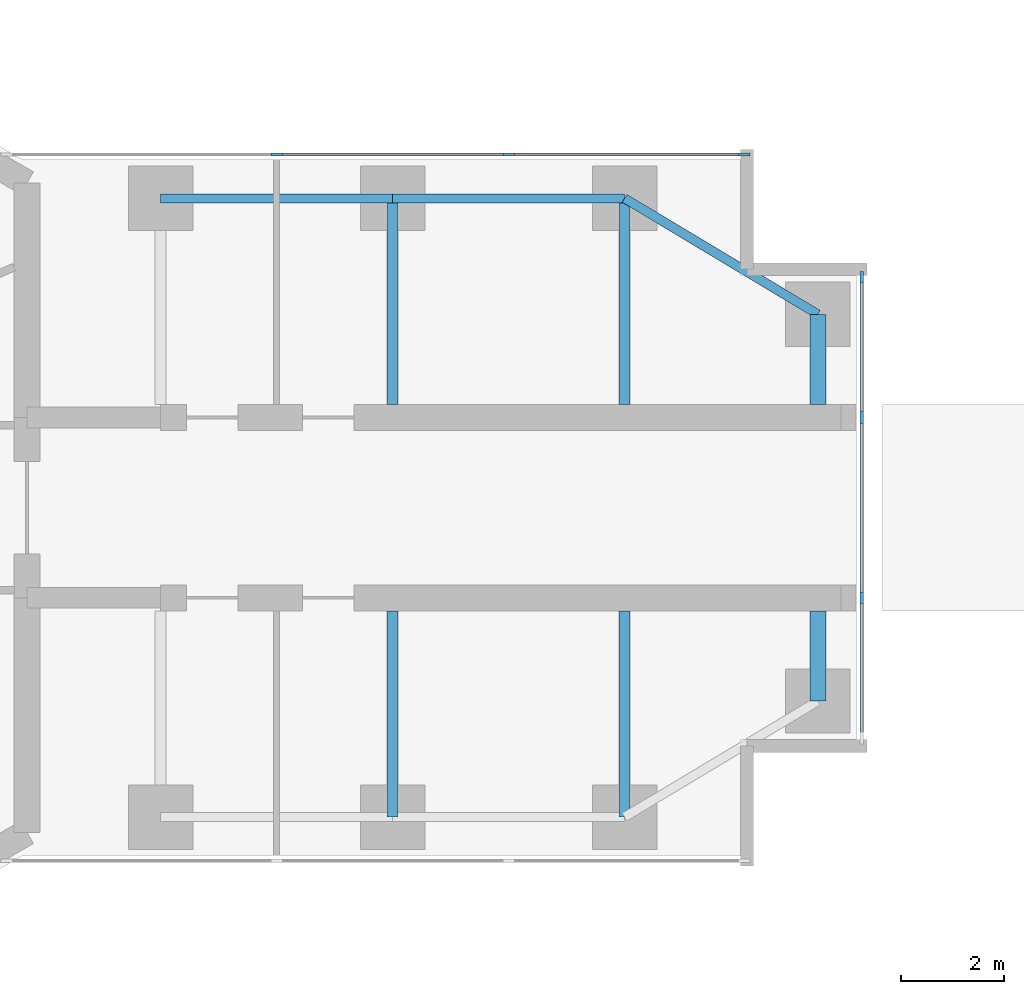
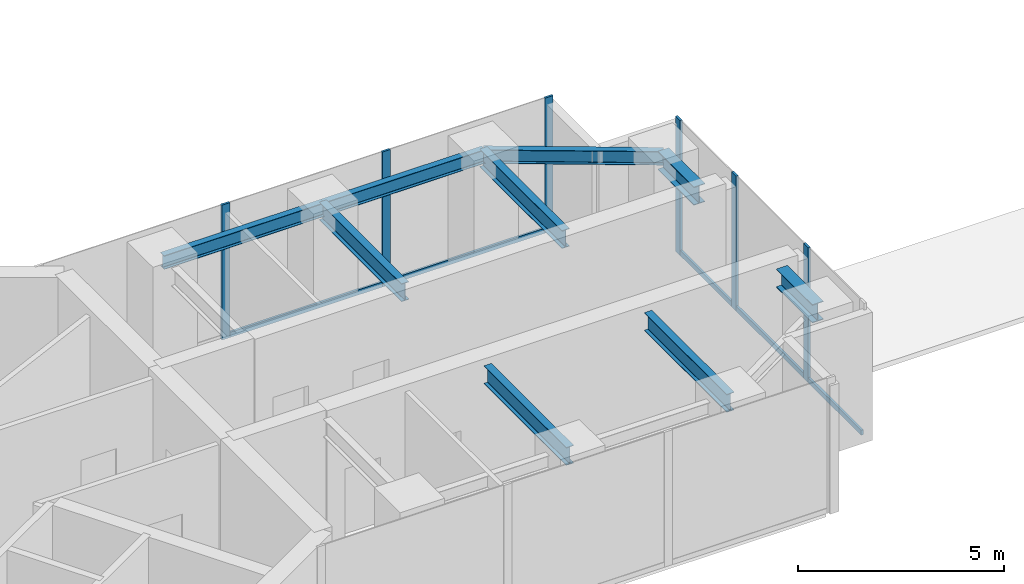
# One storey, part 7 of 18: 11 members, 9 beams, 2 elements without a shape of their own.
"""IFC4 building model written with IfcOpenShell, lengths in metres."""

from ifc_helpers import new_model, si_unit, direction, frame, origin, origin_2d, place, context, subcontext, project, spatial, rectangle, i_section, extrude, material, material_profile, profile_set, type_object, element, aggregate, save


model = new_model("IFC4")

# Units and contexts
model_context = context("Model", 3, precision=1e-05, world=origin(), true_north=direction((0.0, 1.0)))
body_context = subcontext(model_context, "Body", "Model", "MODEL_VIEW")
ifc_project = project(units=[si_unit("LENGTHUNIT", "METRE"), si_unit("AREAUNIT", "SQUARE_METRE"), si_unit("VOLUMEUNIT", "CUBIC_METRE"), si_unit("PLANEANGLEUNIT", "RADIAN"), si_unit("MASSUNIT", "GRAM", prefix="KILO")], contexts=[model_context])

# Site, building, storey
site_placement = place(None, origin())
site = spatial("IfcSite", under=ifc_project, at=site_placement, CompositionType="ELEMENT")
building_placement = place(site_placement, origin())
building = spatial("IfcBuilding", under=site, at=building_placement, Name="Upepo Twin Towers", CompositionType="ELEMENT")
storey_placement = place(building_placement, frame((0.0, 0.0, 170.5)))
storey = spatial("IfcBuildingStorey", under=building, at=storey_placement, Name="L41", CompositionType="ELEMENT", Elevation=170.5)

# Beams
ifc_material_1 = material(Name="Steel S355", Category="steel")
ifc_material_profile_1 = material_profile(ifc_material_1, i_section(OverallWidth=0.177978515625, OverallDepth=0.406494140625, WebThickness=0.0078125, FlangeThickness=0.0126953125, FilletRadius=0.01025390625, at=origin_2d()), Name="UB 406x178x60")
ifc_profile_set_1 = profile_set([ifc_material_profile_1], Name="Steel S355")
beam_type_1 = type_object("IfcBeamType", Name="Beam UB 406x178x60", PredefinedType="BEAM", material=ifc_profile_set_1)
for number, where, z_axis, x_axis, name in (
    (1, (13.5, 6.0, 3.5966796875), (1.0, 0.0, 0.0), (0.0, 1.0, 0.0), "T1 edge beam AL 13.5-18.0"),
    (2, (18.0, 6.0, 3.5966796875), (1.0, 0.0, 0.0), (0.0, 1.0, 0.0), "T1 edge beam AL 18.0-22.5"),
):
    element("IfcBeam", number, at=place(storey_placement, frame(where, z_axis=z_axis, x_axis=x_axis)), inside=storey, type_object=beam_type_1, Name=name, PredefinedType="BEAM", context=body_context, shape_type="SweptSolid", body=[
        extrude(i_section(OverallWidth=0.177978515625, OverallDepth=0.406494140625, WebThickness=0.0078125, FlangeThickness=0.0126953125, FilletRadius=0.01025390625, at=origin_2d()), origin(), (0.0, 0.0, 1.0), 4.5),
    ])
beam_placement = place(storey_placement, frame((22.5, 6.0, 3.5966796875), z_axis=(0.857492925713, -0.514495755428, 0.0), x_axis=(0.514495755428, 0.857492925713, 0.0)))
element("IfcBeam", 3, at=beam_placement, inside=storey, type_object=beam_type_1, Name="T1 nose edge beam AL", PredefinedType="BEAM", context=body_context, shape_type="SweptSolid", body=[
    extrude(i_section(OverallWidth=0.177978515625, OverallDepth=0.406494140625, WebThickness=0.0078125, FlangeThickness=0.0126953125, FilletRadius=0.01025390625, at=origin_2d()), origin(), (0.0, 0.0, 1.0), 4.373291015625),
])
ifc_material_2 = material(Name="Steel S355", Category="steel")
ifc_material_profile_2 = material_profile(ifc_material_2, i_section(OverallWidth=0.209228515625, OverallDepth=0.533203125, WebThickness=0.010009765625, FlangeThickness=0.015625, FilletRadius=0.0126953125, at=origin_2d()), Name="UB 533x210x92")
ifc_profile_set_2 = profile_set([ifc_material_profile_2], Name="Steel S355")
beam_type_2 = type_object("IfcBeamType", Name="Beam UB 533x210x92", PredefinedType="BEAM", material=ifc_profile_set_2)
for number, where, z_axis, x_axis, name in (
    (4, (18.0, 6.0, 3.533447265625), (0.0, -1.0, 0.0), (1.0, 0.0, 0.0), "T1 girder AL at 18.0"),
    (5, (22.5, 6.0, 3.533447265625), (0.0, -1.0, 0.0), (1.0, 0.0, 0.0), "T1 girder AL at 22.5"),
    (6, (18.0, -6.0, 3.533447265625), (0.0, 1.0, 0.0), (-1.0, 0.0, 0.0), "T1 girder AR at 18.0"),
    (7, (22.5, -6.0, 3.533447265625), (0.0, 1.0, 0.0), (-1.0, 0.0, 0.0), "T1 girder AR at 22.5"),
):
    element("IfcBeam", number, at=place(storey_placement, frame(where, z_axis=z_axis, x_axis=x_axis)), inside=storey, type_object=beam_type_2, Name=name, PredefinedType="BEAM", context=body_context, shape_type="SweptSolid", body=[
        extrude(i_section(OverallWidth=0.209228515625, OverallDepth=0.533203125, WebThickness=0.010009765625, FlangeThickness=0.015625, FilletRadius=0.0126953125, at=origin_2d()), origin(), (0.0, 0.0, 1.0), 4.0),
    ])
ifc_material_3 = material(Name="Steel S355", Category="steel")
ifc_material_profile_3 = material_profile(ifc_material_3, i_section(OverallWidth=0.31201171875, OverallDepth=0.54345703125, WebThickness=0.0126953125, FlangeThickness=0.020263671875, FilletRadius=0.0126953125, at=origin_2d()), Name="UB 533x312x150")
ifc_profile_set_3 = profile_set([ifc_material_profile_3], Name="Steel S355")
beam_type_3 = type_object("IfcBeamType", Name="Beam UB 533x312x150", PredefinedType="BEAM", material=ifc_profile_set_3)
for number, where, z_axis, x_axis, name in (
    (8, (26.25, 3.75, 3.5283203125), (0.0, -1.0, 0.0), (1.0, 0.0, 0.0), "T1 nose beam AL"),
    (9, (26.25, -3.75, 3.5283203125), (0.0, 1.0, 0.0), (-1.0, 0.0, 0.0), "T1 nose beam AR"),
):
    element("IfcBeam", number, at=place(storey_placement, frame(where, z_axis=z_axis, x_axis=x_axis)), inside=storey, type_object=beam_type_3, Name=name, PredefinedType="BEAM", context=body_context, shape_type="SweptSolid", body=[
        extrude(i_section(OverallWidth=0.31201171875, OverallDepth=0.54345703125, WebThickness=0.0126953125, FlangeThickness=0.020263671875, FilletRadius=0.0126953125, at=origin_2d()), origin(), (0.0, 0.0, 1.0), 1.75),
    ])

# Curtain wall, members
ifc_material_4 = material(Name="Aluminium and fritted glass", Category="aluminium")
curtain_wall_type = type_object("IfcCurtainWallType", Name="Tower curtain wall TW3, fritted glass", PredefinedType="NOTDEFINED", material=ifc_material_4)
curtain_wall_1_placement = place(storey_placement, origin())
curtain_wall_1 = element("IfcCurtainWall", 10, at=curtain_wall_1_placement, inside=storey, type_object=curtain_wall_type, Name="T1 L41 wing A flank L curtain wall", PredefinedType="NOTDEFINED")
ifc_material_5 = material(Name="Aluminium mullion", Category="aluminium")
ifc_material_profile_4 = material_profile(ifc_material_5, rectangle(XDim=0.06494140625, YDim=0.22509765625, at=origin_2d()), Name="MULLION 65x225")
ifc_profile_set_4 = profile_set([ifc_material_profile_4], Name="Aluminium mullion")
member_type_1 = type_object("IfcMemberType", Name="Mullion 65x225 TW3", PredefinedType="MULLION", material=ifc_profile_set_4)
member_1_placement = place(storey_placement, frame((15.75, 6.85009765625, 0.0), z_axis=(0.0, 0.0, 1.0), x_axis=(0.0, 1.0, 0.0)))
member_1 = element("IfcMember", 11, at=member_1_placement, type_object=member_type_1, Name="T1 L41 wing A flank L curtain wall mullion 2", PredefinedType="MULLION", context=body_context, shape_type="SweptSolid", body=[
    extrude(rectangle(XDim=0.06494140625, YDim=0.22509765625, at=origin_2d()), origin(), (0.0, 0.0, 1.0), 4.0),
])
member_2_placement = place(storey_placement, frame((20.25, 6.85009765625, 0.0), z_axis=(0.0, 0.0, 1.0), x_axis=(0.0, 1.0, 0.0)))
member_2 = element("IfcMember", 12, at=member_2_placement, type_object=member_type_1, Name="T1 L41 wing A flank L curtain wall mullion 3", PredefinedType="MULLION", context=body_context, shape_type="SweptSolid", body=[
    extrude(rectangle(XDim=0.06494140625, YDim=0.22509765625, at=origin_2d()), origin(), (0.0, 0.0, 1.0), 4.0),
])
member_3_placement = place(storey_placement, frame((24.8173828125, 6.85009765625, 0.0), z_axis=(0.0, 0.0, 1.0), x_axis=(0.0, 1.0, 0.0)))
member_3 = element("IfcMember", 13, at=member_3_placement, type_object=member_type_1, Name="T1 L41 wing A flank L curtain wall mullion 4", PredefinedType="MULLION", context=body_context, shape_type="SweptSolid", body=[
    extrude(rectangle(XDim=0.06494140625, YDim=0.22509765625, at=origin_2d()), origin(), (0.0, 0.0, 1.0), 4.0),
])

curtain_wall_2_placement = place(storey_placement, origin())
curtain_wall_2 = element("IfcCurtainWall", 14, at=curtain_wall_2_placement, inside=storey, type_object=curtain_wall_type, Name="T1 L41 wing A nose curtain wall", PredefinedType="NOTDEFINED")
member_4_placement = place(storey_placement, frame((27.10009765625, -1.75, 0.0), z_axis=(0.0, 0.0, 1.0), x_axis=(-1.0, 0.0, 0.0)))
member_4 = element("IfcMember", 15, at=member_4_placement, type_object=member_type_1, Name="T1 L41 wing A nose curtain wall mullion 2", PredefinedType="MULLION", context=body_context, shape_type="SweptSolid", body=[
    extrude(rectangle(XDim=0.06494140625, YDim=0.22509765625, at=origin_2d()), origin(), (0.0, 0.0, 1.0), 4.0),
])
member_5_placement = place(storey_placement, frame((27.10009765625, 1.75, 0.0), z_axis=(0.0, 0.0, 1.0), x_axis=(-1.0, 0.0, 0.0)))
member_5 = element("IfcMember", 16, at=member_5_placement, type_object=member_type_1, Name="T1 L41 wing A nose curtain wall mullion 3", PredefinedType="MULLION", context=body_context, shape_type="SweptSolid", body=[
    extrude(rectangle(XDim=0.06494140625, YDim=0.22509765625, at=origin_2d()), origin(), (0.0, 0.0, 1.0), 4.0),
])
member_6_placement = place(storey_placement, frame((27.10009765625, 4.467529296875, 0.0), z_axis=(0.0, 0.0, 1.0), x_axis=(-1.0, 0.0, 0.0)))
member_6 = element("IfcMember", 17, at=member_6_placement, type_object=member_type_1, Name="T1 L41 wing A nose curtain wall mullion 4", PredefinedType="MULLION", context=body_context, shape_type="SweptSolid", body=[
    extrude(rectangle(XDim=0.06494140625, YDim=0.22509765625, at=origin_2d()), origin(), (0.0, 0.0, 1.0), 4.0),
])

# Member
ifc_material_6 = material(Name="Aluminium transom", Category="aluminium")
ifc_material_profile_5 = material_profile(ifc_material_6, rectangle(XDim=0.06494140625, YDim=0.14990234375, at=origin_2d()), Name="TRANSOM 65x150")
ifc_profile_set_5 = profile_set([ifc_material_profile_5], Name="Aluminium transom")
member_type_2 = type_object("IfcMemberType", Name="Transom 65x150 TW3", PredefinedType="USERDEFINED", material=ifc_profile_set_5)
member_7_placement = place(storey_placement, frame((15.782470703125, 6.85009765625, 0.074951171875), z_axis=(1.0, 0.0, 0.0), x_axis=(0.0, 1.0, 0.0)))
member_7 = element("IfcMember", 18, at=member_7_placement, type_object=member_type_2, Name="T1 L41 wing A flank L curtain wall transom 2", ObjectType="TRANSOM", PredefinedType="USERDEFINED", context=body_context, shape_type="SweptSolid", body=[
    extrude(rectangle(XDim=0.06494140625, YDim=0.14990234375, at=origin_2d()), origin(), (0.0, 0.0, 1.0), 4.43505859375),
])

member_8_placement = place(storey_placement, frame((20.282470703125, 6.85009765625, 0.074951171875), z_axis=(1.0, 0.0, 0.0), x_axis=(0.0, 1.0, 0.0)))
member_8 = element("IfcMember", 19, at=member_8_placement, type_object=member_type_2, Name="T1 L41 wing A flank L curtain wall transom 3", ObjectType="TRANSOM", PredefinedType="USERDEFINED", context=body_context, shape_type="SweptSolid", body=[
    extrude(rectangle(XDim=0.06494140625, YDim=0.14990234375, at=origin_2d()), origin(), (0.0, 0.0, 1.0), 4.50244140625),
])

aggregate(curtain_wall_1, [member_1, member_2, member_3, member_7, member_8])

member_9_placement = place(storey_placement, frame((27.10009765625, -4.43505859375, 0.074951171875), z_axis=(0.0, 1.0, 0.0), x_axis=(-1.0, 0.0, 0.0)))
member_9 = element("IfcMember", 20, at=member_9_placement, type_object=member_type_2, Name="T1 L41 wing A nose curtain wall transom 1", ObjectType="TRANSOM", PredefinedType="USERDEFINED", context=body_context, shape_type="SweptSolid", body=[
    extrude(rectangle(XDim=0.06494140625, YDim=0.14990234375, at=origin_2d()), origin(), (0.0, 0.0, 1.0), 2.652587890625),
])

member_10_placement = place(storey_placement, frame((27.10009765625, -1.717529296875, 0.074951171875), z_axis=(0.0, 1.0, 0.0), x_axis=(-1.0, 0.0, 0.0)))
member_10 = element("IfcMember", 21, at=member_10_placement, type_object=member_type_2, Name="T1 L41 wing A nose curtain wall transom 2", ObjectType="TRANSOM", PredefinedType="USERDEFINED", context=body_context, shape_type="SweptSolid", body=[
    extrude(rectangle(XDim=0.06494140625, YDim=0.14990234375, at=origin_2d()), origin(), (0.0, 0.0, 1.0), 3.43505859375),
])

member_11_placement = place(storey_placement, frame((27.10009765625, 1.782470703125, 0.074951171875), z_axis=(0.0, 1.0, 0.0), x_axis=(-1.0, 0.0, 0.0)))
member_11 = element("IfcMember", 22, at=member_11_placement, type_object=member_type_2, Name="T1 L41 wing A nose curtain wall transom 3", ObjectType="TRANSOM", PredefinedType="USERDEFINED", context=body_context, shape_type="SweptSolid", body=[
    extrude(rectangle(XDim=0.06494140625, YDim=0.14990234375, at=origin_2d()), origin(), (0.0, 0.0, 1.0), 2.652587890625),
])

aggregate(curtain_wall_2, [member_4, member_5, member_6, member_9, member_10, member_11])

save(model, "model.ifc")
